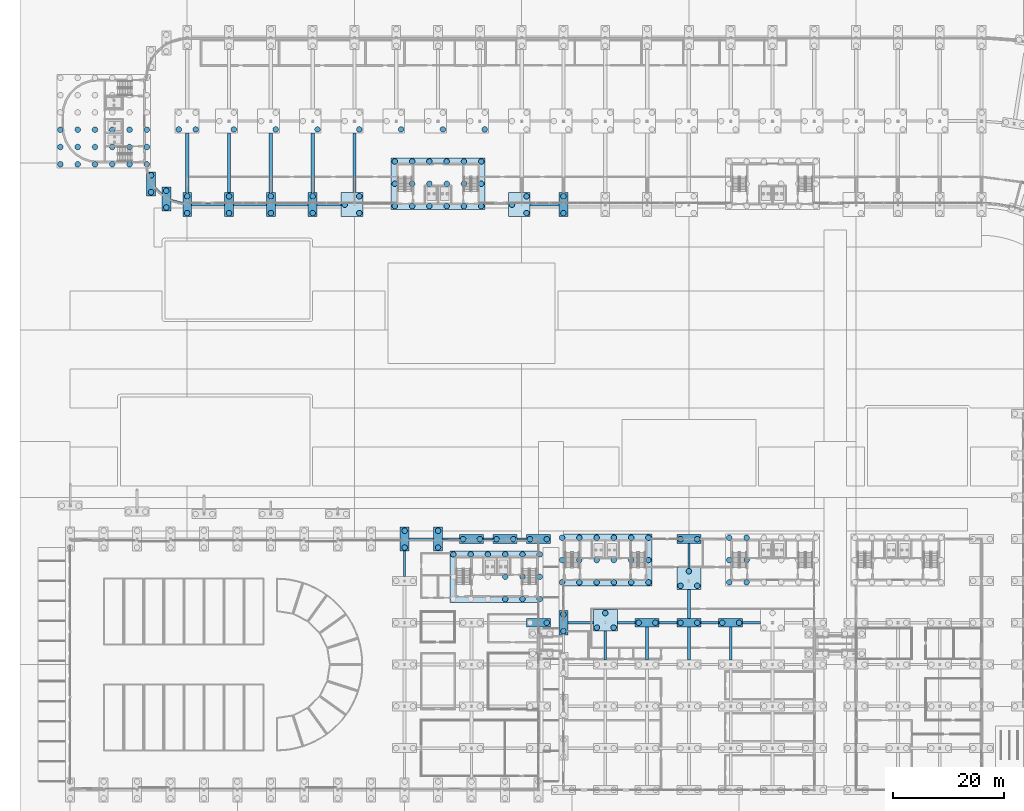
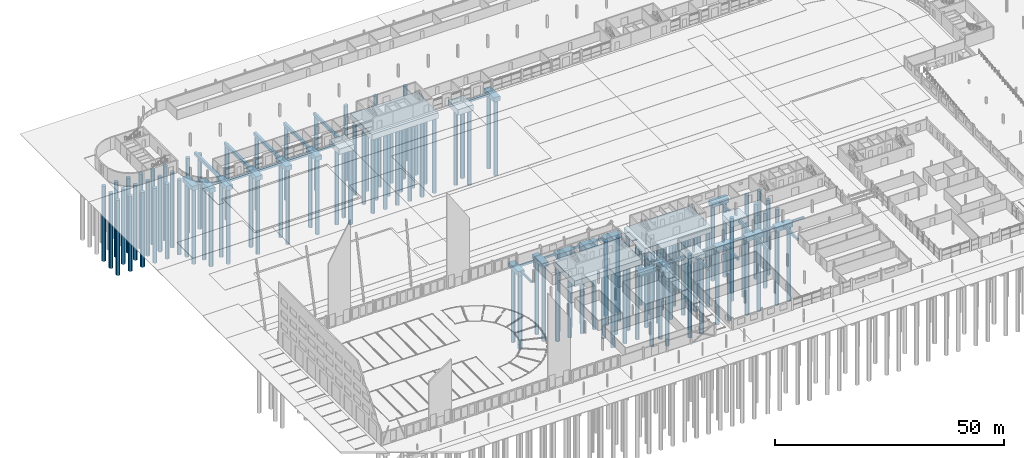
# One storey, part 3 of 130: 128 piles, 53 footings.
"""IFC4 building model written with IfcOpenShell, lengths in metres."""

from ifc_helpers import new_model, si_unit, direction, frame, origin, origin_2d, place, context, subcontext, project, spatial, rectangle, circle, extrude, material, material_profile, profile_set, type_object, element, save


model = new_model("IFC4")

# Units and contexts
model_context = context("Model", 3, precision=1e-05, world=origin(), true_north=direction((0.0, 1.0)))
body_context = subcontext(model_context, "Body", "Model", "MODEL_VIEW")
ifc_project = project(units=[si_unit("LENGTHUNIT", "METRE"), si_unit("AREAUNIT", "SQUARE_METRE"), si_unit("VOLUMEUNIT", "CUBIC_METRE"), si_unit("PLANEANGLEUNIT", "RADIAN"), si_unit("MASSUNIT", "GRAM", prefix="KILO")], contexts=[model_context])

# Site, building, storey
site_placement = place(None, origin())
site = spatial("IfcSite", under=ifc_project, at=site_placement, CompositionType="ELEMENT")
building_placement = place(site_placement, origin())
building = spatial("IfcBuilding", under=site, at=building_placement, Name="Parallax Yard Mobility Hub", CompositionType="ELEMENT")
storey_placement = place(building_placement, origin())
storey = spatial("IfcBuildingStorey", under=building, at=storey_placement, Name="L00", CompositionType="ELEMENT", Elevation=0.0)

# Piles
ifc_material = material(Name="Concrete fc' 28 MPa", Category="concrete")
ifc_material_profile_1 = material_profile(ifc_material, circle(Radius=0.5, at=origin_2d()), Name="Bored pile D1000")
ifc_profile_set_1 = profile_set([ifc_material_profile_1], Name="Concrete fc' 28 MPa")
pile_type = type_object("IfcPileType", Name="Bored pile D1000", PredefinedType="BORED", material=ifc_profile_set_1)
for number, where, z_axis, x_axis, name in (
    (1, (69.0, 50.9951171875, -1.35009765625), (0.0, 0.0, -1.0), (1.0, 0.0, 0.0), "Bored pile 1 of PC1 under column V1 at F11/H"),
    (2, (69.0, 54.0048828125, -1.35009765625), (0.0, 0.0, -1.0), (1.0, 0.0, 0.0), "Bored pile 2 of PC1 under column V1 at F11/H"),
    (3, (75.0, 50.9951171875, -1.35009765625), (0.0, 0.0, -1.0), (1.0, 0.0, 0.0), "Bored pile 1 of PC1 under column V1 at F12/H"),
    (4, (75.0, 54.0048828125, -1.35009765625), (0.0, 0.0, -1.0), (1.0, 0.0, 0.0), "Bored pile 2 of PC1 under column V1 at F12/H"),
    (5, (79.4951171875, 52.5, -1.35009765625), (0.0, 0.0, -1.0), (1.0, 0.0, 0.0), "Bored pile 1 of PC1 under column V1 at F13/H"),
    (6, (82.5048828125, 52.5, -1.35009765625), (0.0, 0.0, -1.0), (1.0, 0.0, 0.0), "Bored pile 2 of PC1 under column V1 at F13/H"),
    (7, (85.4951171875, 52.5, -1.35009765625), (0.0, 0.0, -1.0), (1.0, 0.0, 0.0), "Bored pile 1 of PC1 under column V1 at F14/H"),
    (8, (88.5048828125, 52.5, -1.35009765625), (0.0, 0.0, -1.0), (1.0, 0.0, 0.0), "Bored pile 2 of PC1 under column V1 at F14/H"),
    (9, (94.5048828125, 37.5, -1.35009765625), (0.0, 0.0, -1.0), (1.0, 0.0, 0.0), "Bored pile 2 of PC1 under column V1 at F15/F"),
    (10, (91.4951171875, 52.5, -1.35009765625), (0.0, 0.0, -1.0), (1.0, 0.0, 0.0), "Bored pile 1 of PC1 under column V1 at F15/H"),
    (11, (94.5048828125, 52.5, -1.35009765625), (0.0, 0.0, -1.0), (1.0, 0.0, 0.0), "Bored pile 2 of PC1 under column V1 at F15/H"),
    (12, (90.868896484375, 110.9951171875, -1.64990234375), (0.0, 0.0, -1.0), (1.0, 0.0, 0.0), "Bored pile 1 of PC3 under column V4 at R/13"),
    (13, (90.868896484375, 114.0048828125, -1.64990234375), (0.0, 0.0, -1.0), (1.0, 0.0, 0.0), "Bored pile 2 of PC3 under column V4 at R/13"),
    (14, (88.26220703125, 112.5, -1.64990234375), (0.0, 0.0, -1.0), (1.0, 0.0, 0.0), "Bored pile 3 of PC3 under column V4 at R/13"),
    (15, (97.5, 110.9951171875, -1.35009765625), (0.0, 0.0, -1.0), (1.0, 0.0, 0.0), "Bored pile 1 of PC1 under column V4 at R/14"),
    (16, (97.5, 114.0048828125, -1.35009765625), (0.0, 0.0, -1.0), (1.0, 0.0, 0.0), "Bored pile 2 of PC1 under column V4 at R/14"),
    (17, (30.0, 110.9951171875, -1.35009765625), (0.0, 0.0, -1.0), (1.0, 0.0, 0.0), "Bored pile 1 of PC1 under column V4 at R/5"),
    (18, (30.0, 114.0048828125, -1.35009765625), (0.0, 0.0, -1.0), (1.0, 0.0, 0.0), "Bored pile 2 of PC1 under column V4 at R/5"),
    (19, (37.5, 110.9951171875, -1.35009765625), (0.0, 0.0, -1.0), (1.0, 0.0, 0.0), "Bored pile 1 of PC1 under column V4 at R/6"),
    (20, (37.5, 114.0048828125, -1.35009765625), (0.0, 0.0, -1.0), (1.0, 0.0, 0.0), "Bored pile 2 of PC1 under column V4 at R/6"),
    (21, (45.0, 110.9951171875, -1.35009765625), (0.0, 0.0, -1.0), (1.0, 0.0, 0.0), "Bored pile 1 of PC1 under column V4 at R/7"),
    (22, (45.0, 114.0048828125, -1.35009765625), (0.0, 0.0, -1.0), (1.0, 0.0, 0.0), "Bored pile 2 of PC1 under column V4 at R/7"),
    (23, (52.5, 110.9951171875, -1.35009765625), (0.0, 0.0, -1.0), (1.0, 0.0, 0.0), "Bored pile 1 of PC1 under column V4 at R/8"),
    (24, (52.5, 114.0048828125, -1.35009765625), (0.0, 0.0, -1.0), (1.0, 0.0, 0.0), "Bored pile 2 of PC1 under column V4 at R/8"),
    (25, (60.868896484375, 110.9951171875, -1.64990234375), (0.0, 0.0, -1.0), (1.0, 0.0, 0.0), "Bored pile 1 of PC3 under column V4 at R/9"),
    (26, (60.868896484375, 114.0048828125, -1.64990234375), (0.0, 0.0, -1.0), (1.0, 0.0, 0.0), "Bored pile 2 of PC3 under column V4 at R/9"),
    (27, (58.26220703125, 112.5, -1.64990234375), (0.0, 0.0, -1.0), (1.0, 0.0, 0.0), "Bored pile 3 of PC3 under column V4 at R/9"),
    (28, (68.368896484375, 125.9951171875, -1.64990234375), (0.0, 0.0, -1.0), (1.0, 0.0, 0.0), "Bored pile 1 of PC3 under column V4 at T/10"),
    (29, (75.868896484375, 125.9951171875, -1.64990234375), (0.0, 0.0, -1.0), (1.0, 0.0, 0.0), "Bored pile 1 of PC3 under column V4 at T/11"),
    (30, (83.368896484375, 125.9951171875, -1.64990234375), (0.0, 0.0, -1.0), (1.0, 0.0, 0.0), "Bored pile 1 of PC3 under column V4 at T/12"),
    (31, (31.5048828125, 125.9951171875, -1.64990234375), (0.0, 0.0, -1.0), (1.0, 0.0, 0.0), "Bored pile 1 of PC2 under column V4 at T/5"),
    (32, (28.4951171875, 125.9951171875, -1.64990234375), (0.0, 0.0, -1.0), (1.0, 0.0, 0.0), "Bored pile 3 of PC2 under column V4 at T/5"),
    (33, (38.368896484375, 125.9951171875, -1.64990234375), (0.0, 0.0, -1.0), (1.0, 0.0, 0.0), "Bored pile 1 of PC3 under column V4 at T/6"),
    (34, (45.868896484375, 125.9951171875, -1.64990234375), (0.0, 0.0, -1.0), (1.0, 0.0, 0.0), "Bored pile 1 of PC3 under column V4 at T/7"),
    (35, (53.368896484375, 125.9951171875, -1.64990234375), (0.0, 0.0, -1.0), (1.0, 0.0, 0.0), "Bored pile 1 of PC3 under column V4 at T/8"),
    (36, (60.868896484375, 125.9951171875, -1.64990234375), (0.0, 0.0, -1.0), (1.0, 0.0, 0.0), "Bored pile 1 of PC3 under column V4 at T/9"),
    (37, (23.5048828125, 114.7451171875, -1.35009765625), (0.0, 0.0, -1.0), (1.0, 0.0, 0.0), "Bored pile 1 of PC1 under column V4 at W-S1"),
    (38, (23.5048828125, 117.7548828125, -1.35009765625), (0.0, 0.0, -1.0), (1.0, 0.0, 0.0), "Bored pile 2 of PC1 under column V4 at W-S1"),
    (39, (26.25, 111.999755859375, -1.35009765625), (0.0, 0.0, -1.0), (1.0, 0.0, 0.0), "Bored pile 1 of PC1 under column V4 at W-S2"),
    (40, (26.25, 115.009765625, -1.35009765625), (0.0, 0.0, -1.0), (1.0, 0.0, 0.0), "Bored pile 2 of PC1 under column V4 at W-S2"),
    (41, (97.5, 35.9951171875, -1.35009765625), (0.0, 0.0, -1.0), (1.0, 0.0, 0.0), "Bored pile 1 of PC1 under column V6 at F/14"),
    (42, (97.5, 39.0048828125, -1.35009765625), (0.0, 0.0, -1.0), (1.0, 0.0, 0.0), "Bored pile 2 of PC1 under column V6 at F/14"),
    (43, (103.4951171875, 36.631103515625, -1.64990234375), (0.0, 0.0, -1.0), (1.0, 0.0, 0.0), "Bored pile 1 of PC3 under column V6 at F/15"),
    (44, (106.5048828125, 36.631103515625, -1.64990234375), (0.0, 0.0, -1.0), (1.0, 0.0, 0.0), "Bored pile 2 of PC3 under column V6 at F/15"),
    (45, (105.0, 39.23779296875, -1.64990234375), (0.0, 0.0, -1.0), (1.0, 0.0, 0.0), "Bored pile 3 of PC3 under column V6 at F/15"),
    (46, (110.9951171875, 37.5, -1.35009765625), (0.0, 0.0, -1.0), (1.0, 0.0, 0.0), "Bored pile 1 of PC1 under column V6 at F/16"),
    (47, (114.0048828125, 37.5, -1.35009765625), (0.0, 0.0, -1.0), (1.0, 0.0, 0.0), "Bored pile 2 of PC1 under column V6 at F/16"),
    (48, (118.4951171875, 37.5, -1.35009765625), (0.0, 0.0, -1.0), (1.0, 0.0, 0.0), "Bored pile 1 of PC1 under column V6 at F/17"),
    (49, (121.5048828125, 37.5, -1.35009765625), (0.0, 0.0, -1.0), (1.0, 0.0, 0.0), "Bored pile 2 of PC1 under column V6 at F/17"),
    (50, (125.9951171875, 37.5, -1.35009765625), (0.0, 0.0, -1.0), (1.0, 0.0, 0.0), "Bored pile 1 of PC1 under column V6 at F/18"),
    (51, (129.0048828125, 37.5, -1.35009765625), (0.0, 0.0, -1.0), (1.0, 0.0, 0.0), "Bored pile 2 of PC1 under column V6 at F/18"),
    (52, (118.4951171875, 44.131103515625, -1.64990234375), (0.0, 0.0, -1.0), (1.0, 0.0, 0.0), "Bored pile 1 of PC3 under column V6 at G/17"),
    (53, (121.5048828125, 44.131103515625, -1.64990234375), (0.0, 0.0, -1.0), (1.0, 0.0, 0.0), "Bored pile 2 of PC3 under column V6 at G/17"),
    (54, (120.0, 46.73779296875, -1.64990234375), (0.0, 0.0, -1.0), (1.0, 0.0, 0.0), "Bored pile 3 of PC3 under column V6 at G/17"),
    (55, (118.4951171875, 52.5, -1.35009765625), (0.0, 0.0, -1.0), (1.0, 0.0, 0.0), "Bored pile 1 of PC1 under column V6 at H/17"),
    (56, (121.5048828125, 52.5, -1.35009765625), (0.0, 0.0, -1.0), (1.0, 0.0, 0.0), "Bored pile 2 of PC1 under column V6 at H/17"),
    (57, (67.25, 112.25, -1.64990234375), (0.0, 0.0, -1.0), (1.0, 0.0, 0.0), "Bored pile 1 of PR1 under core C-N1"),
    (58, (70.35009765625, 112.25, -1.64990234375), (0.0, 0.0, -1.0), (1.0, 0.0, 0.0), "Bored pile 2 of PR1 under core C-N1"),
    (59, (73.449951171875, 112.25, -1.64990234375), (0.0, 0.0, -1.0), (1.0, 0.0, 0.0), "Bored pile 3 of PR1 under core C-N1"),
    (60, (76.550048828125, 112.25, -1.64990234375), (0.0, 0.0, -1.0), (1.0, 0.0, 0.0), "Bored pile 4 of PR1 under core C-N1"),
    (61, (79.64990234375, 112.25, -1.64990234375), (0.0, 0.0, -1.0), (1.0, 0.0, 0.0), "Bored pile 5 of PR1 under core C-N1"),
    (62, (82.75, 112.25, -1.64990234375), (0.0, 0.0, -1.0), (1.0, 0.0, 0.0), "Bored pile 6 of PR1 under core C-N1"),
    (63, (67.25, 116.25, -1.64990234375), (0.0, 0.0, -1.0), (1.0, 0.0, 0.0), "Bored pile 7 of PR1 under core C-N1"),
    (64, (70.35009765625, 116.25, -1.64990234375), (0.0, 0.0, -1.0), (1.0, 0.0, 0.0), "Bored pile 8 of PR1 under core C-N1"),
    (65, (73.449951171875, 116.25, -1.64990234375), (0.0, 0.0, -1.0), (1.0, 0.0, 0.0), "Bored pile 9 of PR1 under core C-N1"),
    (66, (76.550048828125, 116.25, -1.64990234375), (0.0, 0.0, -1.0), (1.0, 0.0, 0.0), "Bored pile 10 of PR1 under core C-N1"),
    (67, (79.64990234375, 116.25, -1.64990234375), (0.0, 0.0, -1.0), (1.0, 0.0, 0.0), "Bored pile 11 of PR1 under core C-N1"),
    (68, (82.75, 116.25, -1.64990234375), (0.0, 0.0, -1.0), (1.0, 0.0, 0.0), "Bored pile 12 of PR1 under core C-N1"),
    (69, (67.25, 120.25, -1.64990234375), (0.0, 0.0, -1.0), (1.0, 0.0, 0.0), "Bored pile 13 of PR1 under core C-N1"),
    (70, (70.35009765625, 120.25, -1.64990234375), (0.0, 0.0, -1.0), (1.0, 0.0, 0.0), "Bored pile 14 of PR1 under core C-N1"),
    (71, (73.449951171875, 120.25, -1.64990234375), (0.0, 0.0, -1.0), (1.0, 0.0, 0.0), "Bored pile 15 of PR1 under core C-N1"),
    (72, (76.550048828125, 120.25, -1.64990234375), (0.0, 0.0, -1.0), (1.0, 0.0, 0.0), "Bored pile 16 of PR1 under core C-N1"),
    (73, (79.64990234375, 120.25, -1.64990234375), (0.0, 0.0, -1.0), (1.0, 0.0, 0.0), "Bored pile 17 of PR1 under core C-N1"),
    (74, (82.75, 120.25, -1.64990234375), (0.0, 0.0, -1.0), (1.0, 0.0, 0.0), "Bored pile 18 of PR1 under core C-N1"),
    (75, (22.75, 119.75, -1.64990234375), (0.0, 0.0, -1.0), (1.0, 0.0, 0.0), "Bored pile 1 of PR2 under core C-W"),
    (76, (22.75, 122.85009765625, -1.64990234375), (0.0, 0.0, -1.0), (1.0, 0.0, 0.0), "Bored pile 2 of PR2 under core C-W"),
    (77, (22.75, 125.949951171875, -1.64990234375), (0.0, 0.0, -1.0), (1.0, 0.0, 0.0), "Bored pile 3 of PR2 under core C-W"),
    (78, (19.64990234375, 119.75, -1.64990234375), (0.0, 0.0, -1.0), (1.0, 0.0, 0.0), "Bored pile 7 of PR2 under core C-W"),
    (79, (19.64990234375, 122.85009765625, -1.64990234375), (0.0, 0.0, -1.0), (1.0, 0.0, 0.0), "Bored pile 8 of PR2 under core C-W"),
    (80, (19.64990234375, 125.949951171875, -1.64990234375), (0.0, 0.0, -1.0), (1.0, 0.0, 0.0), "Bored pile 9 of PR2 under core C-W"),
    (81, (16.550048828125, 119.75, -1.64990234375), (0.0, 0.0, -1.0), (1.0, 0.0, 0.0), "Bored pile 13 of PR2 under core C-W"),
    (82, (16.550048828125, 122.85009765625, -1.64990234375), (0.0, 0.0, -1.0), (1.0, 0.0, 0.0), "Bored pile 14 of PR2 under core C-W"),
    (83, (16.550048828125, 125.949951171875, -1.64990234375), (0.0, 0.0, -1.0), (1.0, 0.0, 0.0), "Bored pile 15 of PR2 under core C-W"),
    (84, (13.449951171875, 119.75, -1.64990234375), (0.0, 0.0, -1.0), (1.0, 0.0, 0.0), "Bored pile 19 of PR2 under core C-W"),
    (85, (13.449951171875, 122.85009765625, -1.64990234375), (0.0, 0.0, -1.0), (1.0, 0.0, 0.0), "Bored pile 20 of PR2 under core C-W"),
    (86, (13.449951171875, 125.949951171875, -1.64990234375), (0.0, 0.0, -1.0), (1.0, 0.0, 0.0), "Bored pile 21 of PR2 under core C-W"),
    (87, (10.35009765625, 119.75, -1.64990234375), (0.0, 0.0, -1.0), (1.0, 0.0, 0.0), "Bored pile 25 of PR2 under core C-W"),
    (88, (10.35009765625, 122.85009765625, -1.64990234375), (0.0, 0.0, -1.0), (1.0, 0.0, 0.0), "Bored pile 26 of PR2 under core C-W"),
    (89, (10.35009765625, 125.949951171875, -1.64990234375), (0.0, 0.0, -1.0), (1.0, 0.0, 0.0), "Bored pile 27 of PR2 under core C-W"),
    (90, (7.25, 119.75, -1.64990234375), (0.0, 0.0, -1.0), (1.0, 0.0, 0.0), "Bored pile 31 of PR2 under core C-W"),
    (91, (7.25, 122.85009765625, -1.64990234375), (0.0, 0.0, -1.0), (1.0, 0.0, 0.0), "Bored pile 32 of PR2 under core C-W"),
    (92, (7.25, 125.949951171875, -1.64990234375), (0.0, 0.0, -1.0), (1.0, 0.0, 0.0), "Bored pile 33 of PR2 under core C-W"),
    (93, (87.050048828125, 41.75, -1.64990234375), (0.0, 0.0, -1.0), (1.0, 0.0, 0.0), "Bored pile 4 of PR1 under core C1"),
    (94, (90.14990234375, 41.75, -1.64990234375), (0.0, 0.0, -1.0), (1.0, 0.0, 0.0), "Bored pile 5 of PR1 under core C1"),
    (95, (93.25, 41.75, -1.64990234375), (0.0, 0.0, -1.0), (1.0, 0.0, 0.0), "Bored pile 6 of PR1 under core C1"),
    (96, (87.050048828125, 45.75, -1.64990234375), (0.0, 0.0, -1.0), (1.0, 0.0, 0.0), "Bored pile 10 of PR1 under core C1"),
    (97, (90.14990234375, 45.75, -1.64990234375), (0.0, 0.0, -1.0), (1.0, 0.0, 0.0), "Bored pile 11 of PR1 under core C1"),
    (98, (93.25, 45.75, -1.64990234375), (0.0, 0.0, -1.0), (1.0, 0.0, 0.0), "Bored pile 12 of PR1 under core C1"),
    (99, (77.75, 49.75, -1.64990234375), (0.0, 0.0, -1.0), (1.0, 0.0, 0.0), "Bored pile 13 of PR1 under core C1"),
    (100, (80.85009765625, 49.75, -1.64990234375), (0.0, 0.0, -1.0), (1.0, 0.0, 0.0), "Bored pile 14 of PR1 under core C1"),
    (101, (83.949951171875, 49.75, -1.64990234375), (0.0, 0.0, -1.0), (1.0, 0.0, 0.0), "Bored pile 15 of PR1 under core C1"),
    (102, (87.050048828125, 49.75, -1.64990234375), (0.0, 0.0, -1.0), (1.0, 0.0, 0.0), "Bored pile 16 of PR1 under core C1"),
    (103, (90.14990234375, 49.75, -1.64990234375), (0.0, 0.0, -1.0), (1.0, 0.0, 0.0), "Bored pile 17 of PR1 under core C1"),
    (104, (93.25, 49.75, -1.64990234375), (0.0, 0.0, -1.0), (1.0, 0.0, 0.0), "Bored pile 18 of PR1 under core C1"),
    (105, (127.25, 44.75, -1.64990234375), (0.0, 0.0, -1.0), (1.0, 0.0, 0.0), "Bored pile 1 of PR1 under core C6-E"),
    (106, (130.35009765625, 44.75, -1.64990234375), (0.0, 0.0, -1.0), (1.0, 0.0, 0.0), "Bored pile 2 of PR1 under core C6-E"),
    (107, (127.25, 48.75, -1.64990234375), (0.0, 0.0, -1.0), (1.0, 0.0, 0.0), "Bored pile 7 of PR1 under core C6-E"),
    (108, (130.35009765625, 48.75, -1.64990234375), (0.0, 0.0, -1.0), (1.0, 0.0, 0.0), "Bored pile 8 of PR1 under core C6-E"),
    (109, (127.25, 52.75, -1.64990234375), (0.0, 0.0, -1.0), (1.0, 0.0, 0.0), "Bored pile 13 of PR1 under core C6-E"),
    (110, (130.35009765625, 52.75, -1.64990234375), (0.0, 0.0, -1.0), (1.0, 0.0, 0.0), "Bored pile 14 of PR1 under core C6-E"),
    (111, (97.25, 44.75, -1.64990234375), (0.0, 0.0, -1.0), (1.0, 0.0, 0.0), "Bored pile 1 of PR1 under core C6-W"),
    (112, (100.35009765625, 44.75, -1.64990234375), (0.0, 0.0, -1.0), (1.0, 0.0, 0.0), "Bored pile 2 of PR1 under core C6-W"),
    (113, (103.449951171875, 44.75, -1.64990234375), (0.0, 0.0, -1.0), (1.0, 0.0, 0.0), "Bored pile 3 of PR1 under core C6-W"),
    (114, (106.550048828125, 44.75, -1.64990234375), (0.0, 0.0, -1.0), (1.0, 0.0, 0.0), "Bored pile 4 of PR1 under core C6-W"),
    (115, (109.64990234375, 44.75, -1.64990234375), (0.0, 0.0, -1.0), (1.0, 0.0, 0.0), "Bored pile 5 of PR1 under core C6-W"),
    (116, (112.75, 44.75, -1.64990234375), (0.0, 0.0, -1.0), (1.0, 0.0, 0.0), "Bored pile 6 of PR1 under core C6-W"),
    (117, (97.25, 48.75, -1.64990234375), (0.0, 0.0, -1.0), (1.0, 0.0, 0.0), "Bored pile 7 of PR1 under core C6-W"),
    (118, (100.35009765625, 48.75, -1.64990234375), (0.0, 0.0, -1.0), (1.0, 0.0, 0.0), "Bored pile 8 of PR1 under core C6-W"),
    (119, (103.449951171875, 48.75, -1.64990234375), (0.0, 0.0, -1.0), (1.0, 0.0, 0.0), "Bored pile 9 of PR1 under core C6-W"),
    (120, (106.550048828125, 48.75, -1.64990234375), (0.0, 0.0, -1.0), (1.0, 0.0, 0.0), "Bored pile 10 of PR1 under core C6-W"),
    (121, (109.64990234375, 48.75, -1.64990234375), (0.0, 0.0, -1.0), (1.0, 0.0, 0.0), "Bored pile 11 of PR1 under core C6-W"),
    (122, (112.75, 48.75, -1.64990234375), (0.0, 0.0, -1.0), (1.0, 0.0, 0.0), "Bored pile 12 of PR1 under core C6-W"),
    (123, (97.25, 52.75, -1.64990234375), (0.0, 0.0, -1.0), (1.0, 0.0, 0.0), "Bored pile 13 of PR1 under core C6-W"),
    (124, (100.35009765625, 52.75, -1.64990234375), (0.0, 0.0, -1.0), (1.0, 0.0, 0.0), "Bored pile 14 of PR1 under core C6-W"),
    (125, (103.449951171875, 52.75, -1.64990234375), (0.0, 0.0, -1.0), (1.0, 0.0, 0.0), "Bored pile 15 of PR1 under core C6-W"),
    (126, (106.550048828125, 52.75, -1.64990234375), (0.0, 0.0, -1.0), (1.0, 0.0, 0.0), "Bored pile 16 of PR1 under core C6-W"),
    (127, (109.64990234375, 52.75, -1.64990234375), (0.0, 0.0, -1.0), (1.0, 0.0, 0.0), "Bored pile 17 of PR1 under core C6-W"),
    (128, (112.75, 52.75, -1.64990234375), (0.0, 0.0, -1.0), (1.0, 0.0, 0.0), "Bored pile 18 of PR1 under core C6-W"),
):
    element("IfcPile", number, at=place(storey_placement, frame(where, z_axis=z_axis, x_axis=x_axis)), inside=storey, type_object=pile_type, Name=name, PredefinedType="BORED", context=body_context, shape_type="SweptSolid", body=[
        extrude(circle(Radius=0.5, at=origin_2d()), origin(), (0.0, 0.0, 1.0), 20.0),
    ])

# Footings
footing_type_1 = type_object("IfcFootingType", Name="Core pile raft 16800x9300x1500", PredefinedType="PILE_CAP", material=ifc_material)
for number, where, z_axis, x_axis, name in (
    (129, (75.0, 116.25, -1.75), (0.0, 0.0, 1.0), (1.0, 0.0, 0.0), "Core pile raft PR1 under core C-N1"),
    (130, (85.5, 45.75, -1.75), (0.0, 0.0, 1.0), (1.0, 0.0, 0.0), "Core pile raft PR1 under core C1"),
    (131, (105.0, 48.75, -1.75), (0.0, 0.0, 1.0), (1.0, 0.0, 0.0), "Core pile raft PR1 under core C6-W"),
):
    element("IfcFooting", number, at=place(storey_placement, frame(where, z_axis=z_axis, x_axis=x_axis)), inside=storey, type_object=footing_type_1, Name=name, PredefinedType="PILE_CAP", context=body_context, shape_type="SweptSolid", body=[
        extrude(rectangle(XDim=16.800048828125, YDim=9.300048828125, at=origin_2d()), origin(), (0.0, 0.0, 1.0), 1.5),
    ])
ifc_material_profile_2 = material_profile(ifc_material, rectangle(XDim=0.39990234375, YDim=0.5, at=origin_2d()), Name="Grade beam 400x500")
ifc_profile_set_2 = profile_set([ifc_material_profile_2], Name="Concrete fc' 28 MPa")
footing_type_2 = type_object("IfcFootingType", Name="Grade beam 400x500", PredefinedType="STRIP_FOOTING", material=ifc_profile_set_2)
footing_1_placement = place(storey_placement, frame((69.0, 45.800048828125, -0.5), z_axis=(0.0, 1.0, 0.0), x_axis=(-1.0, 0.0, 0.0)))
element("IfcFooting", 132, at=footing_1_placement, inside=storey, type_object=footing_type_2, Name="Grade beam GB1 between F11/G and F11/H of bus and taxi deck", PredefinedType="STRIP_FOOTING", context=body_context, shape_type="SweptSolid", body=[
    extrude(rectangle(XDim=0.39990234375, YDim=0.5, at=origin_2d()), origin(), (0.0, 0.0, 1.0), 4.544921875),
])
footing_2_placement = place(storey_placement, frame((69.800048828125, 52.5, -0.5), z_axis=(1.0, 0.0, 0.0), x_axis=(0.0, 1.0, 0.0)))
element("IfcFooting", 133, at=footing_2_placement, inside=storey, type_object=footing_type_2, Name="Grade beam GB1 between F11/H and F12/H of bus and taxi deck", PredefinedType="STRIP_FOOTING", context=body_context, shape_type="SweptSolid", body=[
    extrude(rectangle(XDim=0.39990234375, YDim=0.5, at=origin_2d()), origin(), (0.0, 0.0, 1.0), 4.39990234375),
])
footing_3_placement = place(storey_placement, frame((75.800048828125, 52.5, -0.5), z_axis=(1.0, 0.0, 0.0), x_axis=(0.0, 1.0, 0.0)))
element("IfcFooting", 134, at=footing_3_placement, inside=storey, type_object=footing_type_2, Name="Grade beam GB1 between F12/H and F13/H of bus and taxi deck", PredefinedType="STRIP_FOOTING", context=body_context, shape_type="SweptSolid", body=[
    extrude(rectangle(XDim=0.39990234375, YDim=0.5, at=origin_2d()), origin(), (0.0, 0.0, 1.0), 3.044921875),
])
for number, where, z_axis, x_axis, name in (
    (135, (83.155029296875, 52.5, -0.5), (1.0, 0.0, 0.0), (0.0, 1.0, 0.0), "Grade beam GB1 between F13/H and F14/H of bus and taxi deck"),
    (136, (89.155029296875, 52.5, -0.5), (1.0, 0.0, 0.0), (0.0, 1.0, 0.0), "Grade beam GB1 between F14/H and F15/H of bus and taxi deck"),
):
    element("IfcFooting", number, at=place(storey_placement, frame(where, z_axis=z_axis, x_axis=x_axis)), inside=storey, type_object=footing_type_2, Name=name, PredefinedType="STRIP_FOOTING", context=body_context, shape_type="SweptSolid", body=[
        extrude(rectangle(XDim=0.39990234375, YDim=0.5, at=origin_2d()), origin(), (0.0, 0.0, 1.0), 1.68994140625),
    ])
footing_4_placement = place(storey_placement, frame((29.199951171875, 112.71435546875, -0.5), z_axis=(-0.965941197501, 0.258761672144, 0.0), x_axis=(-0.258761672144, -0.965941197501, 0.0)))
element("IfcFooting", 137, at=footing_4_placement, inside=storey, type_object=footing_type_2, Name="Grade beam GB1 between R/5 and W-S2 of ramped parking decks", PredefinedType="STRIP_FOOTING", context=body_context, shape_type="SweptSolid", body=[
    extrude(rectangle(XDim=0.39990234375, YDim=0.5, at=origin_2d()), origin(), (0.0, 0.0, 1.0), 2.2255859375),
])
footing_5_placement = place(storey_placement, frame((53.300048828125, 112.5, -0.5), z_axis=(1.0, 0.0, 0.0), x_axis=(0.0, 1.0, 0.0)))
element("IfcFooting", 138, at=footing_5_placement, inside=storey, type_object=footing_type_2, Name="Grade beam GB1 between R/8 and R/9 of ramped parking decks", PredefinedType="STRIP_FOOTING", context=body_context, shape_type="SweptSolid", body=[
    extrude(rectangle(XDim=0.39990234375, YDim=0.5, at=origin_2d()), origin(), (0.0, 0.0, 1.0), 4.312255859375),
])
footing_6_placement = place(storey_placement, frame((24.3046875, 115.449951171875, -0.5), z_axis=(0.707106781187, -0.707106781187, 0.0), x_axis=(0.707106781187, 0.707106781187, 0.0)))
element("IfcFooting", 139, at=footing_6_placement, inside=storey, type_object=footing_type_2, Name="Grade beam GB1 between W-S1 and W-S2 of ramped parking decks", PredefinedType="STRIP_FOOTING", context=body_context, shape_type="SweptSolid", body=[
    extrude(rectangle(XDim=0.39990234375, YDim=0.5, at=origin_2d()), origin(), (0.0, 0.0, 1.0), 1.61962890625),
])
footing_7_placement = place(storey_placement, frame((98.300048828125, 37.5, -0.5), z_axis=(1.0, 0.0, 0.0), x_axis=(0.0, 1.0, 0.0)))
element("IfcFooting", 140, at=footing_7_placement, inside=storey, type_object=footing_type_2, Name="Grade beam GB1 between F/14 and F/15 of mobility service centre and workshops", PredefinedType="STRIP_FOOTING", context=body_context, shape_type="SweptSolid", body=[
    extrude(rectangle(XDim=0.39990234375, YDim=0.5, at=origin_2d()), origin(), (0.0, 0.0, 1.0), 4.544921875),
])
for number, where, z_axis, x_axis, name in (
    (141, (107.155029296875, 37.5, -0.5), (1.0, 0.0, 0.0), (0.0, 1.0, 0.0), "Grade beam GB1 between F/15 and F/16 of mobility service centre and workshops"),
    (142, (114.655029296875, 37.5, -0.5), (1.0, 0.0, 0.0), (0.0, 1.0, 0.0), "Grade beam GB1 between F/16 and F/17 of mobility service centre and workshops"),
    (143, (122.155029296875, 37.5, -0.5), (1.0, 0.0, 0.0), (0.0, 1.0, 0.0), "Grade beam GB1 between F/17 and F/18 of mobility service centre and workshops"),
    (144, (129.655029296875, 37.5, -0.5), (1.0, 0.0, 0.0), (0.0, 1.0, 0.0), "Grade beam GB1 between F/18 and F/19 of mobility service centre and workshops"),
):
    element("IfcFooting", number, at=place(storey_placement, frame(where, z_axis=z_axis, x_axis=x_axis)), inside=storey, type_object=footing_type_2, Name=name, PredefinedType="STRIP_FOOTING", context=body_context, shape_type="SweptSolid", body=[
        extrude(rectangle(XDim=0.39990234375, YDim=0.5, at=origin_2d()), origin(), (0.0, 0.0, 1.0), 3.18994140625),
    ])
footing_8_placement = place(storey_placement, frame((120.0, 47.3876953125, -0.5), z_axis=(0.0, 1.0, 0.0), x_axis=(-1.0, 0.0, 0.0)))
element("IfcFooting", 145, at=footing_8_placement, inside=storey, type_object=footing_type_2, Name="Grade beam GB1 between G/17 and H/17 of mobility service centre and workshops", PredefinedType="STRIP_FOOTING", context=body_context, shape_type="SweptSolid", body=[
    extrude(rectangle(XDim=0.39990234375, YDim=0.5, at=origin_2d()), origin(), (0.0, 0.0, 1.0), 4.312255859375),
])
ifc_material_profile_3 = material_profile(ifc_material, rectangle(XDim=0.5, YDim=0.60009765625, at=origin_2d()), Name="Grade beam 500x600")
ifc_profile_set_3 = profile_set([ifc_material_profile_3], Name="Concrete fc' 28 MPa")
footing_type_3 = type_object("IfcFootingType", Name="Grade beam 500x600", PredefinedType="STRIP_FOOTING", material=ifc_profile_set_3)
footing_9_placement = place(storey_placement, frame((91.518798828125, 112.5, -0.550048828125), z_axis=(1.0, 0.0, 0.0), x_axis=(0.0, 1.0, 0.0)))
element("IfcFooting", 146, at=footing_9_placement, inside=storey, type_object=footing_type_3, Name="Grade beam GB2 between R/13 and R/14 of ramped parking decks", PredefinedType="STRIP_FOOTING", context=body_context, shape_type="SweptSolid", body=[
    extrude(rectangle(XDim=0.5, YDim=0.60009765625, at=origin_2d()), origin(), (0.0, 0.0, 1.0), 5.18115234375),
])
for number, where, z_axis, x_axis, name in (
    (147, (30.800048828125, 112.5, -0.550048828125), (1.0, 0.0, 0.0), (0.0, 1.0, 0.0), "Grade beam GB2 between R/5 and R/6 of ramped parking decks"),
    (148, (38.300048828125, 112.5, -0.550048828125), (1.0, 0.0, 0.0), (0.0, 1.0, 0.0), "Grade beam GB2 between R/6 and R/7 of ramped parking decks"),
    (149, (45.800048828125, 112.5, -0.550048828125), (1.0, 0.0, 0.0), (0.0, 1.0, 0.0), "Grade beam GB2 between R/7 and R/8 of ramped parking decks"),
):
    element("IfcFooting", number, at=place(storey_placement, frame(where, z_axis=z_axis, x_axis=x_axis)), inside=storey, type_object=footing_type_3, Name=name, PredefinedType="STRIP_FOOTING", context=body_context, shape_type="SweptSolid", body=[
        extrude(rectangle(XDim=0.5, YDim=0.60009765625, at=origin_2d()), origin(), (0.0, 0.0, 1.0), 5.89990234375),
    ])
footing_10_placement = place(storey_placement, frame((105.0, 30.800048828125, -0.550048828125), z_axis=(0.0, 1.0, 0.0), x_axis=(-1.0, 0.0, 0.0)))
element("IfcFooting", 150, at=footing_10_placement, inside=storey, type_object=footing_type_3, Name="Grade beam GB2 between E/15 and F/15 of mobility service centre and workshops", PredefinedType="STRIP_FOOTING", context=body_context, shape_type="SweptSolid", body=[
    extrude(rectangle(XDim=0.5, YDim=0.60009765625, at=origin_2d()), origin(), (0.0, 0.0, 1.0), 5.18115234375),
])
for number, where, z_axis, x_axis, name in (
    (151, (112.5, 30.800048828125, -0.550048828125), (0.0, 1.0, 0.0), (-1.0, 0.0, 0.0), "Grade beam GB2 between E/16 and F/16 of mobility service centre and workshops"),
    (152, (120.0, 30.800048828125, -0.550048828125), (0.0, 1.0, 0.0), (-1.0, 0.0, 0.0), "Grade beam GB2 between E/17 and F/17 of mobility service centre and workshops"),
    (153, (127.5, 30.800048828125, -0.550048828125), (0.0, 1.0, 0.0), (-1.0, 0.0, 0.0), "Grade beam GB2 between E/18 and F/18 of mobility service centre and workshops"),
):
    element("IfcFooting", number, at=place(storey_placement, frame(where, z_axis=z_axis, x_axis=x_axis)), inside=storey, type_object=footing_type_3, Name=name, PredefinedType="STRIP_FOOTING", context=body_context, shape_type="SweptSolid", body=[
        extrude(rectangle(XDim=0.5, YDim=0.60009765625, at=origin_2d()), origin(), (0.0, 0.0, 1.0), 5.89990234375),
    ])
footing_11_placement = place(storey_placement, frame((120.0, 38.300048828125, -0.550048828125), z_axis=(0.0, 1.0, 0.0), x_axis=(-1.0, 0.0, 0.0)))
element("IfcFooting", 154, at=footing_11_placement, inside=storey, type_object=footing_type_3, Name="Grade beam GB2 between F/17 and G/17 of mobility service centre and workshops", PredefinedType="STRIP_FOOTING", context=body_context, shape_type="SweptSolid", body=[
    extrude(rectangle(XDim=0.5, YDim=0.60009765625, at=origin_2d()), origin(), (0.0, 0.0, 1.0), 5.18115234375),
])
ifc_material_profile_4 = material_profile(ifc_material, rectangle(XDim=0.60009765625, YDim=0.800048828125, at=origin_2d()), Name="Grade beam 600x800")
ifc_profile_set_4 = profile_set([ifc_material_profile_4], Name="Concrete fc' 28 MPa")
footing_type_4 = type_object("IfcFootingType", Name="Grade beam 600x800", PredefinedType="STRIP_FOOTING", material=ifc_profile_set_4)
for number, where, z_axis, x_axis, name in (
    (155, (30.0, 114.655029296875, -0.64990234375), (0.0, 1.0, 0.0), (-1.0, 0.0, 0.0), "Grade beam GB3 between R/5 and T/5 of ramped parking decks"),
    (156, (37.5, 114.655029296875, -0.64990234375), (0.0, 1.0, 0.0), (-1.0, 0.0, 0.0), "Grade beam GB3 between R/6 and T/6 of ramped parking decks"),
    (157, (45.0, 114.655029296875, -0.64990234375), (0.0, 1.0, 0.0), (-1.0, 0.0, 0.0), "Grade beam GB3 between R/7 and T/7 of ramped parking decks"),
    (158, (52.5, 114.655029296875, -0.64990234375), (0.0, 1.0, 0.0), (-1.0, 0.0, 0.0), "Grade beam GB3 between R/8 and T/8 of ramped parking decks"),
    (159, (60.0, 114.655029296875, -0.64990234375), (0.0, 1.0, 0.0), (-1.0, 0.0, 0.0), "Grade beam GB3 between R/9 and T/9 of ramped parking decks"),
):
    element("IfcFooting", number, at=place(storey_placement, frame(where, z_axis=z_axis, x_axis=x_axis)), inside=storey, type_object=footing_type_4, Name=name, PredefinedType="STRIP_FOOTING", context=body_context, shape_type="SweptSolid", body=[
        extrude(rectangle(XDim=0.60009765625, YDim=0.800048828125, at=origin_2d()), origin(), (0.0, 0.0, 1.0), 10.68994140625),
    ])
footing_type_5 = type_object("IfcFootingType", Name="Pile cap 4310x1600x1200", PredefinedType="PILE_CAP", material=ifc_material)
for number, where, z_axis, x_axis, name in (
    (160, (69.0, 52.5, -1.4501953125), (0.0, 0.0, 1.0), (0.0, 1.0, 0.0), "Pile cap PC1 under column V1 at F11/H"),
    (161, (75.0, 52.5, -1.4501953125), (0.0, 0.0, 1.0), (0.0, 1.0, 0.0), "Pile cap PC1 under column V1 at F12/H"),
    (162, (81.0, 52.5, -1.4501953125), (0.0, 0.0, 1.0), (1.0, 0.0, 0.0), "Pile cap PC1 under column V1 at F13/H"),
    (163, (87.0, 52.5, -1.4501953125), (0.0, 0.0, 1.0), (1.0, 0.0, 0.0), "Pile cap PC1 under column V1 at F14/H"),
    (164, (93.0, 37.5, -1.4501953125), (0.0, 0.0, 1.0), (1.0, 0.0, 0.0), "Pile cap PC1 under column V1 at F15/F"),
    (165, (93.0, 52.5, -1.4501953125), (0.0, 0.0, 1.0), (1.0, 0.0, 0.0), "Pile cap PC1 under column V1 at F15/H"),
    (166, (97.5, 112.5, -1.4501953125), (0.0, 0.0, 1.0), (0.0, 1.0, 0.0), "Pile cap PC1 under column V4 at R/14"),
    (167, (30.0, 112.5, -1.4501953125), (0.0, 0.0, 1.0), (0.0, 1.0, 0.0), "Pile cap PC1 under column V4 at R/5"),
    (168, (37.5, 112.5, -1.4501953125), (0.0, 0.0, 1.0), (0.0, 1.0, 0.0), "Pile cap PC1 under column V4 at R/6"),
    (169, (45.0, 112.5, -1.4501953125), (0.0, 0.0, 1.0), (0.0, 1.0, 0.0), "Pile cap PC1 under column V4 at R/7"),
    (170, (52.5, 112.5, -1.4501953125), (0.0, 0.0, 1.0), (0.0, 1.0, 0.0), "Pile cap PC1 under column V4 at R/8"),
    (171, (23.5048828125, 116.25, -1.4501953125), (0.0, 0.0, 1.0), (0.0, 1.0, 0.0), "Pile cap PC1 under column V4 at W-S1"),
    (172, (26.25, 113.5048828125, -1.4501953125), (0.0, 0.0, 1.0), (0.0, 1.0, 0.0), "Pile cap PC1 under column V4 at W-S2"),
    (173, (97.5, 37.5, -1.4501953125), (0.0, 0.0, 1.0), (0.0, 1.0, 0.0), "Pile cap PC1 under column V6 at F/14"),
    (174, (112.5, 37.5, -1.4501953125), (0.0, 0.0, 1.0), (1.0, 0.0, 0.0), "Pile cap PC1 under column V6 at F/16"),
    (175, (120.0, 37.5, -1.4501953125), (0.0, 0.0, 1.0), (1.0, 0.0, 0.0), "Pile cap PC1 under column V6 at F/17"),
    (176, (127.5, 37.5, -1.4501953125), (0.0, 0.0, 1.0), (1.0, 0.0, 0.0), "Pile cap PC1 under column V6 at F/18"),
    (177, (120.0, 52.5, -1.4501953125), (0.0, 0.0, 1.0), (1.0, 0.0, 0.0), "Pile cap PC1 under column V6 at H/17"),
):
    element("IfcFooting", number, at=place(storey_placement, frame(where, z_axis=z_axis, x_axis=x_axis)), inside=storey, type_object=footing_type_5, Name=name, PredefinedType="PILE_CAP", context=body_context, shape_type="SweptSolid", body=[
        extrude(rectangle(XDim=4.31005859375, YDim=1.60009765625, at=origin_2d()), origin(), (0.0, 0.0, 1.0), 1.199951171875),
    ])
footing_type_6 = type_object("IfcFootingType", Name="Pile cap 4310x3907x1500", PredefinedType="PILE_CAP", material=ifc_material)
for number, where, z_axis, x_axis, name in (
    (178, (89.5654296875, 112.5, -1.75), (0.0, 0.0, 1.0), (0.0, 1.0, 0.0), "Pile cap PC3 under column V4 at R/13"),
    (179, (59.5654296875, 112.5, -1.75), (0.0, 0.0, 1.0), (0.0, 1.0, 0.0), "Pile cap PC3 under column V4 at R/9"),
    (180, (105.0, 37.9345703125, -1.75), (0.0, 0.0, 1.0), (1.0, 0.0, 0.0), "Pile cap PC3 under column V6 at F/15"),
    (181, (120.0, 45.4345703125, -1.75), (0.0, 0.0, 1.0), (1.0, 0.0, 0.0), "Pile cap PC3 under column V6 at G/17"),
):
    element("IfcFooting", number, at=place(storey_placement, frame(where, z_axis=z_axis, x_axis=x_axis)), inside=storey, type_object=footing_type_6, Name=name, PredefinedType="PILE_CAP", context=body_context, shape_type="SweptSolid", body=[
        extrude(rectangle(XDim=4.31005859375, YDim=3.90673828125, at=origin_2d()), origin(), (0.0, 0.0, 1.0), 1.5),
    ])

save(model, "model.ifc")
